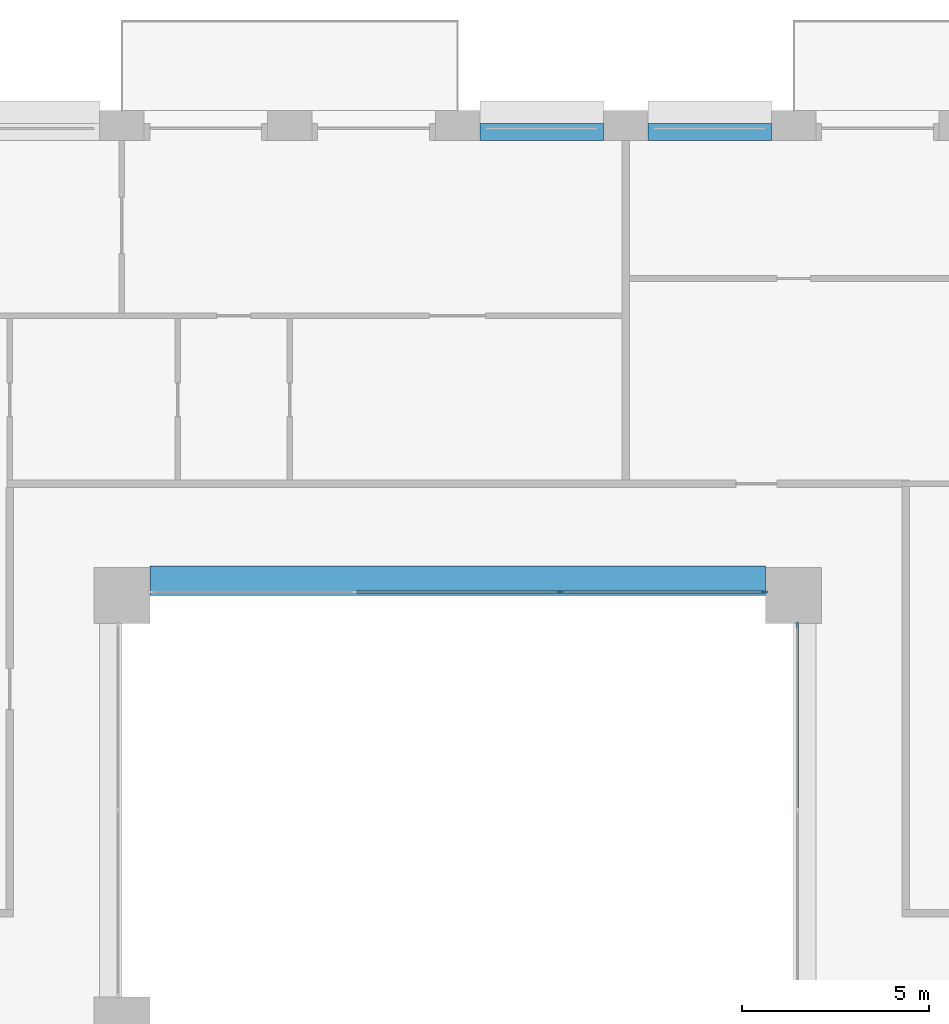
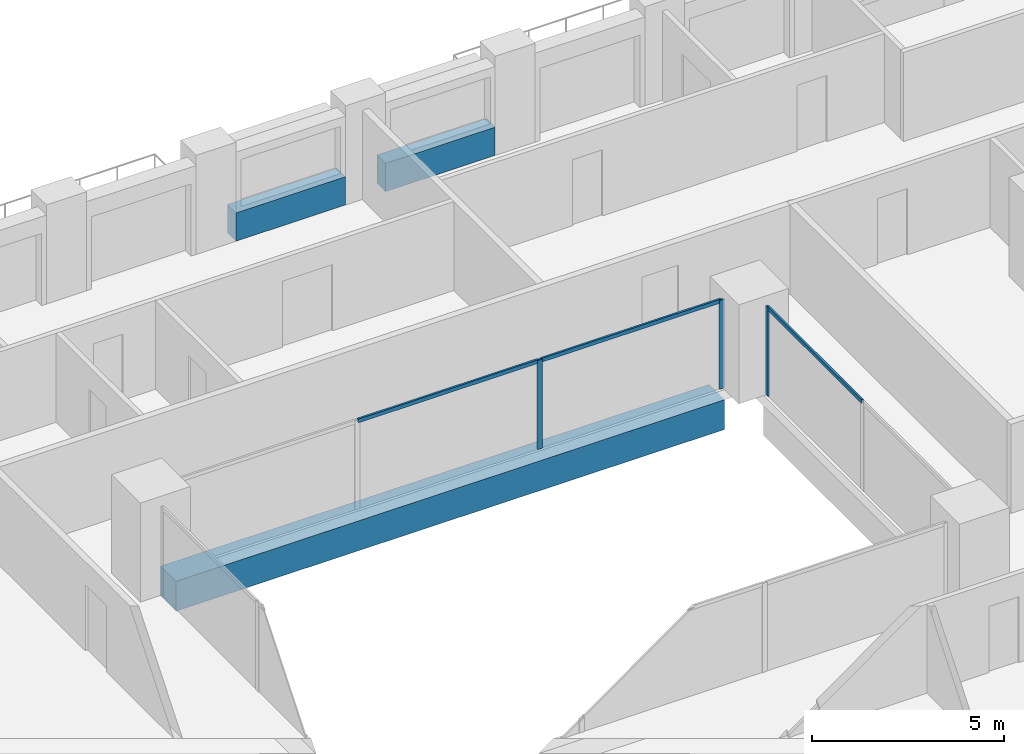
# One storey, part 7 of 20: 6 members, 3 beams, 2 elements without a shape of their own.
"""IFC4 building model written with IfcOpenShell, lengths in metres."""

from ifc_helpers import new_model, si_unit, direction, frame, origin, origin_2d, place, context, subcontext, project, spatial, rectangle, extrude, material, layer, layer_set, material_profile, profile_set, type_object, element, aggregate, save


model = new_model("IFC4")

# Units and contexts
model_context = context("Model", 3, precision=1e-05, world=origin(), true_north=direction((0.0, 1.0)))
body_context = subcontext(model_context, "Body", "Model", "MODEL_VIEW")
ifc_project = project(units=[si_unit("LENGTHUNIT", "METRE"), si_unit("AREAUNIT", "SQUARE_METRE"), si_unit("VOLUMEUNIT", "CUBIC_METRE"), si_unit("PLANEANGLEUNIT", "RADIAN"), si_unit("MASSUNIT", "GRAM", prefix="KILO")], contexts=[model_context])

# Site, building, storey
site_placement = place(None, origin())
site = spatial("IfcSite", under=ifc_project, at=site_placement, CompositionType="ELEMENT")
building_placement = place(site_placement, origin())
building = spatial("IfcBuilding", under=site, at=building_placement, Name="Brigalow Station Residences", CompositionType="ELEMENT")
storey_placement = place(building_placement, frame((0.0, 0.0, 63.60009765625)))
storey = spatial("IfcBuildingStorey", under=building, at=storey_placement, Name="L18", CompositionType="ELEMENT", Elevation=63.60009765625)

# Beam
ifc_material_1 = material(Name="Concrete C65", Category="concrete")
ifc_material_profile_1 = material_profile(ifc_material_1, rectangle(XDim=0.800048828125, YDim=0.949951171875, at=origin_2d()), Name="RC800x950")
ifc_profile_set_1 = profile_set([ifc_material_profile_1], Name="Concrete C65")
beam_type_1 = type_object("IfcBeamType", Name="ATRIUM EDGE GIRDER OVER 13.5 M SPAN 800x950 C65", PredefinedType="BEAM", material=ifc_profile_set_1)
beam_placement = place(storey_placement, frame((27.75, 35.89990234375, -0.795166015625), z_axis=(1.0, 0.0, 0.0), x_axis=(0.0, 1.0, 0.0)))
element("IfcBeam", 1, at=beam_placement, inside=storey, type_object=beam_type_1, Name="ATRIUM EDGE GIRDER D L18", PredefinedType="BEAM", context=body_context, shape_type="SweptSolid", body=[
    extrude(rectangle(XDim=0.800048828125, YDim=0.949951171875, at=origin_2d()), origin(), (0.0, 0.0, 1.0), 16.5),
])

# Curtain wall, member
ifc_material_2 = material(Name="Aluminium", Category="aluminium")
ifc_layer = layer(ifc_material_2, 0.14990234375)
ifc_layer_set = layer_set([ifc_layer], Name="ATRIUM FIRE-RATED GLAZING CURTAIN WALL")
curtain_wall_type = type_object("IfcCurtainWallType", Name="ATRIUM FIRE-RATED GLAZING CURTAIN WALL", PredefinedType="NOTDEFINED", material=ifc_layer_set)
curtain_wall_1_placement = place(storey_placement, origin())
curtain_wall_1 = element("IfcCurtainWall", 2, at=curtain_wall_1_placement, inside=storey, type_object=curtain_wall_type, Name="L18/cw/atrium-E", PredefinedType="NOTDEFINED")
ifc_material_3 = material(Name="Aluminium", Category="aluminium")
ifc_material_profile_2 = material_profile(ifc_material_3, rectangle(XDim=0.06005859375, YDim=0.14990234375, at=origin_2d()), Name="ATRIUM FIRE-RATED GLAZING MULLION 60x150")
ifc_profile_set_2 = profile_set([ifc_material_profile_2], Name="Aluminium")
member_type_1 = type_object("IfcMemberType", Name="ATRIUM FIRE-RATED GLAZING MULLION 60x150", PredefinedType="MULLION", material=ifc_profile_set_2)
member_1_placement = place(storey_placement, frame((45.10009765625, 34.719970703125, 0.0), z_axis=(0.0, 0.0, 1.0), x_axis=(-1.0, 0.0, 0.0)))
member_1 = element("IfcMember", 3, at=member_1_placement, type_object=member_type_1, Name="L18/cw/atrium-E/M02", PredefinedType="MULLION", context=body_context, shape_type="SweptSolid", body=[
    extrude(rectangle(XDim=0.06005859375, YDim=0.14990234375, at=origin_2d()), origin(), (0.0, 0.0, 1.0), 2.829833984375),
])

# Curtain wall, members
curtain_wall_2_placement = place(storey_placement, origin())
curtain_wall_2 = element("IfcCurtainWall", 4, at=curtain_wall_2_placement, inside=storey, type_object=curtain_wall_type, Name="L18/cw/atrium-N", PredefinedType="NOTDEFINED")
member_2_placement = place(storey_placement, frame((44.219970703125, 35.60009765625, 0.0), z_axis=(0.0, 0.0, 1.0), x_axis=(0.0, -1.0, 0.0)))
member_2 = element("IfcMember", 5, at=member_2_placement, type_object=member_type_1, Name="L18/cw/atrium-N/M00", PredefinedType="MULLION", context=body_context, shape_type="SweptSolid", body=[
    extrude(rectangle(XDim=0.06005859375, YDim=0.14990234375, at=origin_2d()), origin(), (0.0, 0.0, 1.0), 2.829833984375),
])
member_3_placement = place(storey_placement, frame((38.75, 35.60009765625, 0.0), z_axis=(0.0, 0.0, 1.0), x_axis=(0.0, -1.0, 0.0)))
member_3 = element("IfcMember", 6, at=member_3_placement, type_object=member_type_1, Name="L18/cw/atrium-N/M01", PredefinedType="MULLION", context=body_context, shape_type="SweptSolid", body=[
    extrude(rectangle(XDim=0.06005859375, YDim=0.14990234375, at=origin_2d()), origin(), (0.0, 0.0, 1.0), 2.829833984375),
])

# Member
ifc_material_4 = material(Name="Aluminium", Category="aluminium")
ifc_material_profile_3 = material_profile(ifc_material_4, rectangle(XDim=0.06005859375, YDim=0.1201171875, at=origin_2d()), Name="ATRIUM FIRE-RATED GLAZING TRANSOM 60x120")
ifc_profile_set_3 = profile_set([ifc_material_profile_3], Name="Aluminium")
member_type_2 = type_object("IfcMemberType", Name="ATRIUM FIRE-RATED GLAZING TRANSOM 60x120", PredefinedType="USERDEFINED", material=ifc_profile_set_3)
member_4_placement = place(storey_placement, frame((45.10009765625, 29.780029296875, 2.7998046875), z_axis=(0.0, 1.0, 0.0), x_axis=(-1.0, 0.0, 0.0)))
member_4 = element("IfcMember", 7, at=member_4_placement, type_object=member_type_2, Name="L18/cw/atrium-E/T01-00", ObjectType="TRANSOM", PredefinedType="USERDEFINED", context=body_context, shape_type="SweptSolid", body=[
    extrude(rectangle(XDim=0.06005859375, YDim=0.1201171875, at=origin_2d()), origin(), (0.0, 0.0, 1.0), 4.909912109375),
])

aggregate(curtain_wall_1, [member_1, member_4])

member_5_placement = place(storey_placement, frame((44.18994140625, 35.60009765625, 2.7998046875), z_axis=(-1.0, 0.0, 0.0), x_axis=(0.0, -1.0, 0.0)))
member_5 = element("IfcMember", 8, at=member_5_placement, type_object=member_type_2, Name="L18/cw/atrium-N/T00-00", ObjectType="TRANSOM", PredefinedType="USERDEFINED", context=body_context, shape_type="SweptSolid", body=[
    extrude(rectangle(XDim=0.06005859375, YDim=0.1201171875, at=origin_2d()), origin(), (0.0, 0.0, 1.0), 5.409912109375),
])

member_6_placement = place(storey_placement, frame((38.719970703125, 35.60009765625, 2.7998046875), z_axis=(-1.0, 0.0, 0.0), x_axis=(0.0, -1.0, 0.0)))
member_6 = element("IfcMember", 9, at=member_6_placement, type_object=member_type_2, Name="L18/cw/atrium-N/T01-00", ObjectType="TRANSOM", PredefinedType="USERDEFINED", context=body_context, shape_type="SweptSolid", body=[
    extrude(rectangle(XDim=0.06005859375, YDim=0.1201171875, at=origin_2d()), origin(), (0.0, 0.0, 1.0), 5.43994140625),
])

aggregate(curtain_wall_2, [member_2, member_3, member_5, member_6])

# Beams
ifc_material_5 = material(Name="Concrete C65", Category="concrete")
ifc_material_profile_4 = material_profile(ifc_material_5, rectangle(XDim=0.449951171875, YDim=0.89990234375, at=origin_2d()), Name="RC450x900")
ifc_profile_set_4 = profile_set([ifc_material_profile_4], Name="Concrete C65")
beam_type_2 = type_object("IfcBeamType", Name="SPANDREL BEAM 450x900 C65", PredefinedType="SPANDREL", material=ifc_profile_set_4)
for number, where, z_axis, x_axis, name in (
    (10, (44.39990234375, 47.925048828125, 0.449951171875), (-1.0, 0.0, 0.0), (0.0, -1.0, 0.0), "L18/spandrel/W-L18-31"),
    (11, (39.89990234375, 47.925048828125, 0.449951171875), (-1.0, 0.0, 0.0), (0.0, -1.0, 0.0), "L18/spandrel/W-L18-32"),
):
    element("IfcBeam", number, at=place(storey_placement, frame(where, z_axis=z_axis, x_axis=x_axis)), inside=storey, type_object=beam_type_2, Name=name, PredefinedType="SPANDREL", context=body_context, shape_type="SweptSolid", body=[
        extrude(rectangle(XDim=0.449951171875, YDim=0.89990234375, at=origin_2d()), origin(), (0.0, 0.0, 1.0), 3.2998046875),
    ])

save(model, "model.ifc")
